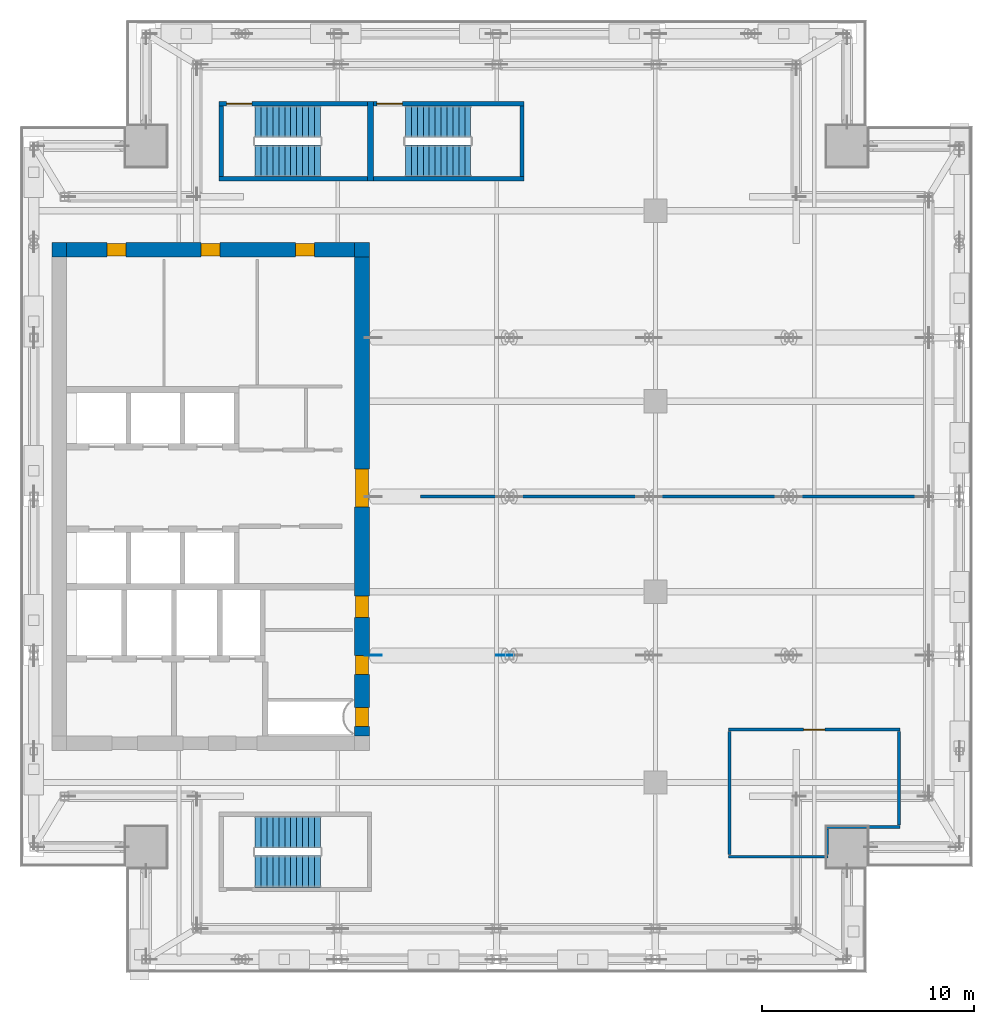
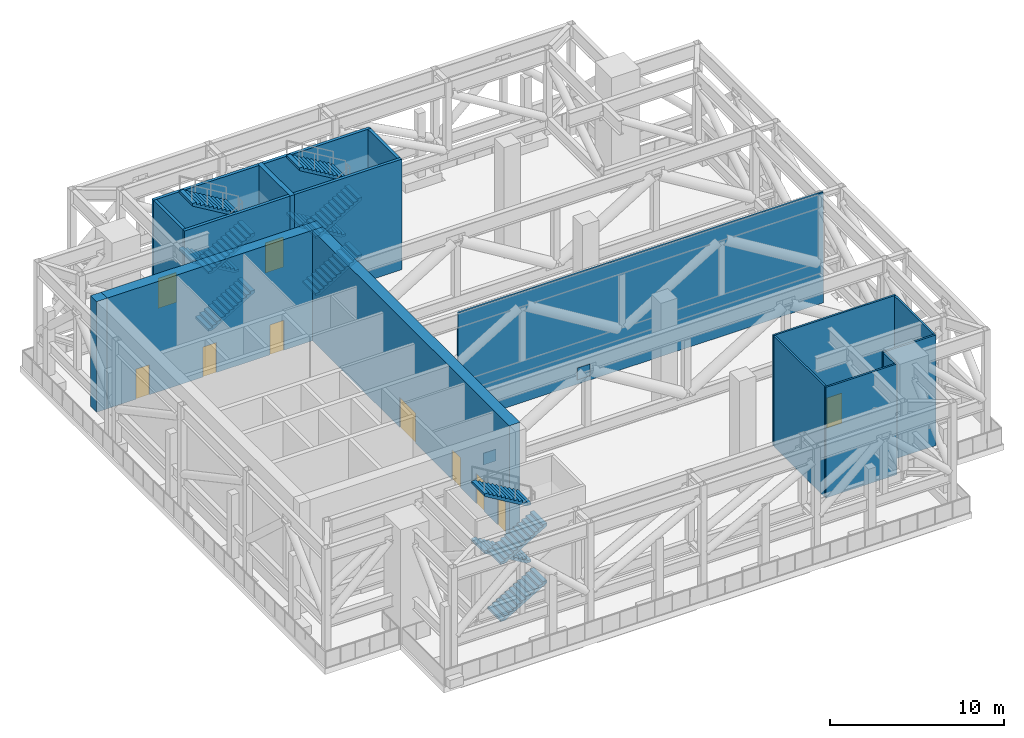
# One storey, part 9 of 15: 18 walls, 12 stair flights, 10 doors, 2 discrete accessories, 10 openings, 3 elements without a shape of their own.
"""IFC4 building model written with IfcOpenShell, lengths in metres."""

from ifc_helpers import new_model, si_unit, direction, frame, frame_2d, origin, origin_2d, place, context, subcontext, project, spatial, polyline, rectangle, outline, extrude, source, transform, mapped, material, layer, layer_set, type_object, element, fill, aggregate, save


model = new_model("IFC4")

# Units and contexts
model_context = context("Model", 3, precision=1e-05, world=origin(), true_north=direction((0.0, 1.0)))
body_context = subcontext(model_context, "Body", "Model", "MODEL_VIEW")
ifc_project = project(units=[si_unit("LENGTHUNIT", "METRE"), si_unit("AREAUNIT", "SQUARE_METRE"), si_unit("VOLUMEUNIT", "CUBIC_METRE"), si_unit("PLANEANGLEUNIT", "RADIAN"), si_unit("MASSUNIT", "GRAM", prefix="KILO")], contexts=[model_context])

# Site, building, storey
site_placement = place(None, origin())
site = spatial("IfcSite", under=ifc_project, at=site_placement, CompositionType="ELEMENT")
building_placement = place(site_placement, origin())
building = spatial("IfcBuilding", under=site, at=building_placement, Name="Khomas Fold Tower", CompositionType="ELEMENT")
storey_placement = place(building_placement, frame((0.0, 0.0, 274.199951171875)))
storey = spatial("IfcBuildingStorey", under=building, at=storey_placement, Name="L62", CompositionType="ELEMENT", Elevation=274.199951171875)

# Wall, openings, doors
ifc_material_1 = material(Name="Concrete C60/75", Category="concrete")
ifc_layer_1 = layer(ifc_material_1, 0.699951171875)
ifc_layer_set_1 = layer_set([ifc_layer_1], Name="Concrete C60/75")
wall_type_1 = type_object("IfcWallType", Name="Core wall 700", PredefinedType="SHEAR", material=ifc_layer_set_1)
shared_shape_1 = source(origin(), body_context, "Body", "SweptSolid", [
    extrude(rectangle(XDim=13.60009765625, YDim=0.699951171875, at=frame_2d((6.800048828125, 0.0))), origin(), (0.0, 0.0, 1.0), 7.75),
])
wall_1_placement = place(storey_placement, frame((6.699951171875, 38.64990234375, 0.0), z_axis=(0.0, 0.0, 1.0), x_axis=(1.0, 0.0, 0.0)))
wall_1 = element("IfcWall", 1, at=wall_1_placement, inside=storey, type_object=wall_type_1, Name="Core wall CW-U-N-L49", PredefinedType="SHEAR", context=body_context, shape_type="MappedRepresentation", body=[
    mapped(shared_shape_1, transform((0.0, 0.0, 0.0))),
])
shared_shape_2 = source(origin(), body_context, "Body", "SweptSolid", [
    extrude(rectangle(XDim=0.89990234375, YDim=2.10009765625, at=frame_2d((0.449951171875, 1.050048828125))), frame((0.0, 0.35986328125, 0.0), z_axis=(0.0, -1.0, 0.0), x_axis=(1.0, 0.0, 0.0)), (0.0, 0.0, 1.0), 0.719970703125),
])
opening_1_placement = place(wall_1_placement, frame((1.89990234375, 0.0, 0.0)))
opening_1 = element("IfcOpeningElement", 2, at=opening_1_placement, cuts=wall_1, Name="Opening 0004", PredefinedType="OPENING", context=body_context, shape_type="MappedRepresentation", body=[
    mapped(shared_shape_2, transform((0.0, 0.0, 0.0))),
])
opening_2_placement = place(wall_1_placement, frame((6.35009765625, 0.0, 0.0)))
opening_2 = element("IfcOpeningElement", 3, at=opening_2_placement, cuts=wall_1, Name="Opening 0004", PredefinedType="OPENING", context=body_context, shape_type="MappedRepresentation", body=[
    mapped(shared_shape_2, transform((0.0, 0.0, 0.0))),
])
opening_3_placement = place(wall_1_placement, frame((10.800048828125, 0.0, 0.0)))
opening_3 = element("IfcOpeningElement", 4, at=opening_3_placement, cuts=wall_1, Name="Opening 0008", PredefinedType="OPENING", context=body_context, shape_type="MappedRepresentation", body=[
    mapped(shared_shape_2, transform((0.0, 0.0, 0.0))),
])
ifc_material_2 = material(Name="Timber door leaf", Category="wood")
door_type_1 = type_object("IfcDoorType", Name="WC door 900x2100 right-hand", OperationType="SINGLE_SWING_RIGHT", PredefinedType="DOOR", material=ifc_material_2)
shared_shape_3 = source(origin(), body_context, "Body", "SweptSolid", [
    extrude(rectangle(XDim=0.89990234375, YDim=2.10009765625, at=frame_2d((0.449951171875, 1.050048828125))), frame((0.0, 0.2998046875, 0.0), z_axis=(0.0, -1.0, 0.0), x_axis=(1.0, 0.0, 0.0)), (0.0, 0.0, 1.0), 0.599853515625),
])
door_1_placement = place(opening_1_placement, origin())
door_1 = element("IfcDoor", 5, at=door_1_placement, inside=storey, type_object=door_type_1, Name="WC door", OperationType="SINGLE_SWING_RIGHT", OverallHeight=2.10009765625, OverallWidth=0.89990234375, PredefinedType="DOOR", context=body_context, shape_type="MappedRepresentation", body=[
    mapped(shared_shape_3, transform((0.0, 0.0, 0.0))),
])
fill(opening_1, door_1)
door_2_placement = place(opening_2_placement, origin())
door_2 = element("IfcDoor", 6, at=door_2_placement, inside=storey, type_object=door_type_1, Name="WC door", OperationType="SINGLE_SWING_RIGHT", OverallHeight=2.10009765625, OverallWidth=0.89990234375, PredefinedType="DOOR", context=body_context, shape_type="MappedRepresentation", body=[
    mapped(shared_shape_3, transform((0.0, 0.0, 0.0))),
])
fill(opening_2, door_2)
ifc_material_3 = material(Name="Timber door leaf", Category="wood")
door_type_2 = type_object("IfcDoorType", Name="Door 900x2100 right-hand", OperationType="SINGLE_SWING_RIGHT", PredefinedType="DOOR", material=ifc_material_3)
door_3_placement = place(opening_3_placement, origin())
door_3 = element("IfcDoor", 7, at=door_3_placement, inside=storey, type_object=door_type_2, Name="Door", OperationType="SINGLE_SWING_RIGHT", OverallHeight=2.10009765625, OverallWidth=0.89990234375, PredefinedType="DOOR", context=body_context, shape_type="MappedRepresentation", body=[
    mapped(shared_shape_3, transform((0.0, 0.0, 0.0))),
])
fill(opening_3, door_3)

# Walls
ifc_material_4 = material(Name="Concrete C60/75", Category="concrete")
ifc_layer_2 = layer(ifc_material_4, 0.699951171875)
ifc_layer_set_2 = layer_set([ifc_layer_2], Name="Concrete C60/75")
wall_type_2 = type_object("IfcWallType", Name="Core corner wall 700", PredefinedType="SHEAR", material=ifc_layer_set_2)
shared_shape_4 = source(origin(), body_context, "Body", "SweptSolid", [
    extrude(rectangle(XDim=0.699951171875, YDim=0.699951171875, at=frame_2d((0.35009765625, 0.0))), origin(), (0.0, 0.0, 1.0), 7.75),
])
for number, where, z_axis, x_axis, name in (
    (8, (20.300048828125, 38.64990234375, 0.0), (0.0, 0.0, 1.0), (1.0, 0.0, 0.0), "Core wall CW-U-NE-L49"),
    (9, (6.0, 38.64990234375, 0.0), (0.0, 0.0, 1.0), (1.0, 0.0, 0.0), "Core wall CW-U-NW-L49"),
):
    element("IfcWall", number, at=place(storey_placement, frame(where, z_axis=z_axis, x_axis=x_axis)), inside=storey, type_object=wall_type_2, Name=name, PredefinedType="SHEAR", context=body_context, shape_type="MappedRepresentation", body=[
        mapped(shared_shape_4, transform((0.0, 0.0, 0.0))),
    ])

# Wall, openings, doors
shared_shape_5 = source(origin(), body_context, "Body", "SweptSolid", [
    extrude(rectangle(XDim=22.60009765625, YDim=0.699951171875, at=frame_2d((11.300048828125, 0.0))), origin(), (0.0, 0.0, 1.0), 7.75),
])
wall_2_placement = place(storey_placement, frame((20.64990234375, 15.699951171875, 0.0), z_axis=(0.0, 0.0, 1.0), x_axis=(0.0, 1.0, 0.0)))
wall_2 = element("IfcWall", 10, at=wall_2_placement, inside=storey, type_object=wall_type_1, Name="Core wall CW-U-E-L49", PredefinedType="SHEAR", context=body_context, shape_type="MappedRepresentation", body=[
    mapped(shared_shape_5, transform((0.0, 0.0, 0.0))),
])
shared_shape_6 = source(origin(), body_context, "Body", "SweptSolid", [
    extrude(rectangle(XDim=1.800048828125, YDim=2.10009765625, at=frame_2d((0.89990234375, 1.050048828125))), frame((0.0, 0.35986328125, 0.0), z_axis=(0.0, -1.0, 0.0), x_axis=(1.0, 0.0, 0.0)), (0.0, 0.0, 1.0), 0.719970703125),
])
opening_4_placement = place(wall_2_placement, frame((10.800048828125, 0.0, 0.0)))
opening_4 = element("IfcOpeningElement", 11, at=opening_4_placement, cuts=wall_2, Name="Opening 0015", PredefinedType="OPENING", context=body_context, shape_type="MappedRepresentation", body=[
    mapped(shared_shape_6, transform((0.0, 0.0, 0.0))),
])
opening_5_placement = place(wall_2_placement, frame((0.449951171875, 0.0, 0.0)))
opening_5 = element("IfcOpeningElement", 12, at=opening_5_placement, cuts=wall_2, Name="Opening 0003", PredefinedType="OPENING", context=body_context, shape_type="MappedRepresentation", body=[
    mapped(shared_shape_2, transform((0.0, 0.0, 0.0))),
])
opening_6_placement = place(wall_2_placement, frame((2.89990234375, 0.0, 0.0)))
opening_6 = element("IfcOpeningElement", 13, at=opening_6_placement, cuts=wall_2, Name="Opening 0003", PredefinedType="OPENING", context=body_context, shape_type="MappedRepresentation", body=[
    mapped(shared_shape_2, transform((0.0, 0.0, 0.0))),
])
shared_shape_7 = source(origin(), body_context, "Body", "SweptSolid", [
    extrude(rectangle(XDim=1.0, YDim=2.10009765625, at=frame_2d((0.5, 1.050048828125))), frame((0.0, 0.35986328125, 0.0), z_axis=(0.0, -1.0, 0.0), x_axis=(1.0, 0.0, 0.0)), (0.0, 0.0, 1.0), 0.719970703125),
])
opening_7_placement = place(wall_2_placement, frame((5.60009765625, 0.0, 0.0)))
opening_7 = element("IfcOpeningElement", 14, at=opening_7_placement, cuts=wall_2, Name="Opening 0006", PredefinedType="OPENING", context=body_context, shape_type="MappedRepresentation", body=[
    mapped(shared_shape_7, transform((0.0, 0.0, 0.0))),
])
ifc_material_5 = material(Name="Steel door leaf", Category="steel")
door_type_3 = type_object("IfcDoorType", Name="Lobby door 1800x2100", OperationType="DOUBLE_DOOR_SINGLE_SWING", PredefinedType="DOOR", material=ifc_material_5)
shared_shape_8 = source(origin(), body_context, "Body", "SweptSolid", [
    extrude(rectangle(XDim=1.800048828125, YDim=2.10009765625, at=frame_2d((0.89990234375, 1.050048828125))), frame((0.0, 0.2998046875, 0.0), z_axis=(0.0, -1.0, 0.0), x_axis=(1.0, 0.0, 0.0)), (0.0, 0.0, 1.0), 0.599853515625),
])
door_4_placement = place(opening_4_placement, origin())
door_4 = element("IfcDoor", 15, at=door_4_placement, inside=storey, type_object=door_type_3, Name="Lobby door", OperationType="DOUBLE_DOOR_SINGLE_SWING", OverallHeight=2.10009765625, OverallWidth=1.800048828125, PredefinedType="DOOR", context=body_context, shape_type="MappedRepresentation", body=[
    mapped(shared_shape_8, transform((0.0, 0.0, 0.0))),
])
fill(opening_4, door_4)
ifc_material_6 = material(Name="Steel door leaf", Category="steel")
door_type_4 = type_object("IfcDoorType", Name="Plant room door 900x2100 right-hand", OperationType="SINGLE_SWING_RIGHT", PredefinedType="DOOR", material=ifc_material_6)
door_5_placement = place(opening_5_placement, origin())
door_5 = element("IfcDoor", 16, at=door_5_placement, inside=storey, type_object=door_type_4, Name="Plant room door", OperationType="SINGLE_SWING_RIGHT", OverallHeight=2.10009765625, OverallWidth=0.89990234375, PredefinedType="DOOR", context=body_context, shape_type="MappedRepresentation", body=[
    mapped(shared_shape_3, transform((0.0, 0.0, 0.0))),
])
fill(opening_5, door_5)
door_6_placement = place(opening_6_placement, origin())
door_6 = element("IfcDoor", 17, at=door_6_placement, inside=storey, type_object=door_type_4, Name="Plant room door", OperationType="SINGLE_SWING_RIGHT", OverallHeight=2.10009765625, OverallWidth=0.89990234375, PredefinedType="DOOR", context=body_context, shape_type="MappedRepresentation", body=[
    mapped(shared_shape_3, transform((0.0, 0.0, 0.0))),
])
fill(opening_6, door_6)
ifc_material_7 = material(Name="Timber door leaf", Category="wood")
door_type_5 = type_object("IfcDoorType", Name="WC door 1000x2100 right-hand", OperationType="SINGLE_SWING_RIGHT", PredefinedType="DOOR", material=ifc_material_7)
shared_shape_9 = source(origin(), body_context, "Body", "SweptSolid", [
    extrude(rectangle(XDim=1.0, YDim=2.10009765625, at=frame_2d((0.5, 1.050048828125))), frame((0.0, 0.2998046875, 0.0), z_axis=(0.0, -1.0, 0.0), x_axis=(1.0, 0.0, 0.0)), (0.0, 0.0, 1.0), 0.599853515625),
])
door_7_placement = place(opening_7_placement, origin())
door_7 = element("IfcDoor", 18, at=door_7_placement, inside=storey, type_object=door_type_5, Name="WC door", OperationType="SINGLE_SWING_RIGHT", OverallHeight=2.10009765625, OverallWidth=1.0, PredefinedType="DOOR", context=body_context, shape_type="MappedRepresentation", body=[
    mapped(shared_shape_9, transform((0.0, 0.0, 0.0))),
])
fill(opening_7, door_7)

# Wall, opening, door
ifc_material_8 = material(Name="Concrete C50/60", Category="concrete")
ifc_layer_3 = layer(ifc_material_8, 0.199951171875)
ifc_layer_set_3 = layer_set([ifc_layer_3], Name="Concrete C50/60")
wall_type_3 = type_object("IfcWallType", Name="Stair wall 200", PredefinedType="SHEAR", material=ifc_layer_set_3)
shared_shape_10 = source(origin(), body_context, "Body", "SweptSolid", [
    extrude(rectangle(XDim=7.0, YDim=0.199951171875, at=frame_2d((3.5, 0.0))), origin(), (0.0, 0.0, 1.0), 7.75),
])
wall_3_placement = place(storey_placement, frame((13.89990234375, 45.550048828125, 0.0), z_axis=(0.0, 0.0, 1.0), x_axis=(1.0, 0.0, 0.0)))
wall_3 = element("IfcWall", 19, at=wall_3_placement, inside=storey, type_object=wall_type_3, Name="Stair wall SW-ST1-N", PredefinedType="SHEAR", context=body_context, shape_type="MappedRepresentation", body=[
    mapped(shared_shape_10, transform((0.0, 0.0, 0.0))),
])
shared_shape_11 = source(origin(), body_context, "Body", "SweptSolid", [
    extrude(rectangle(XDim=1.199951171875, YDim=2.10009765625, at=frame_2d((0.60009765625, 1.050048828125))), frame((0.0, 0.10986328125, 0.0), z_axis=(0.0, -1.0, 0.0), x_axis=(1.0, 0.0, 0.0)), (0.0, 0.0, 1.0), 0.219970703125),
])
opening_8_placement = place(wall_3_placement, frame((0.35009765625, 0.0, 0.0)))
opening_8 = element("IfcOpeningElement", 20, at=opening_8_placement, cuts=wall_3, Name="Opening SD-ST1", PredefinedType="OPENING", context=body_context, shape_type="MappedRepresentation", body=[
    mapped(shared_shape_11, transform((0.0, 0.0, 0.0))),
])
ifc_material_9 = material(Name="Steel door leaf", Category="steel")
door_type_6 = type_object("IfcDoorType", Name="Stair door 1200x2100 left-hand", OperationType="SINGLE_SWING_LEFT", PredefinedType="DOOR", material=ifc_material_9)
shared_shape_12 = source(origin(), body_context, "Body", "SweptSolid", [
    extrude(rectangle(XDim=1.199951171875, YDim=2.10009765625, at=frame_2d((0.60009765625, 1.050048828125))), frame((0.0, 0.02490234375, 0.0), z_axis=(0.0, -1.0, 0.0), x_axis=(1.0, 0.0, 0.0)), (0.0, 0.0, 1.0), 0.050048828125),
])
door_8_placement = place(opening_8_placement, origin())
door_8 = element("IfcDoor", 21, at=door_8_placement, inside=storey, type_object=door_type_6, Name="Stair door", OperationType="SINGLE_SWING_LEFT", OverallHeight=2.10009765625, OverallWidth=1.199951171875, PredefinedType="DOOR", context=body_context, shape_type="MappedRepresentation", body=[
    mapped(shared_shape_12, transform((0.0, 0.0, 0.0))),
])
fill(opening_8, door_8)

# Wall
wall_4_placement = place(storey_placement, frame((13.89990234375, 42.0, 0.0), z_axis=(0.0, 0.0, 1.0), x_axis=(1.0, 0.0, 0.0)))
element("IfcWall", 22, at=wall_4_placement, inside=storey, type_object=wall_type_3, Name="Stair wall SW-ST1-S", PredefinedType="SHEAR", context=body_context, shape_type="MappedRepresentation", body=[
    mapped(shared_shape_10, transform((0.0, 0.0, 0.0))),
])

# Wall, opening, door
shared_shape_13 = source(origin(), body_context, "Body", "SweptSolid", [
    extrude(rectangle(XDim=7.10009765625, YDim=0.199951171875, at=frame_2d((3.550048828125, 0.0))), origin(), (0.0, 0.0, 1.0), 7.75),
])
wall_5_placement = place(storey_placement, frame((21.199951171875, 45.550048828125, 0.0), z_axis=(0.0, 0.0, 1.0), x_axis=(1.0, 0.0, 0.0)))
wall_5 = element("IfcWall", 23, at=wall_5_placement, inside=storey, type_object=wall_type_3, Name="Stair wall SW-ST3-N", PredefinedType="SHEAR", context=body_context, shape_type="MappedRepresentation", body=[
    mapped(shared_shape_13, transform((0.0, 0.0, 0.0))),
])
opening_9_placement = place(wall_5_placement, frame((0.14990234375, 0.0, 0.0)))
opening_9 = element("IfcOpeningElement", 24, at=opening_9_placement, cuts=wall_5, Name="Opening SD-ST3", PredefinedType="OPENING", context=body_context, shape_type="MappedRepresentation", body=[
    mapped(shared_shape_11, transform((0.0, 0.0, 0.0))),
])
door_9_placement = place(opening_9_placement, origin())
door_9 = element("IfcDoor", 25, at=door_9_placement, inside=storey, type_object=door_type_6, Name="Stair door", OperationType="SINGLE_SWING_LEFT", OverallHeight=2.10009765625, OverallWidth=1.199951171875, PredefinedType="DOOR", context=body_context, shape_type="MappedRepresentation", body=[
    mapped(shared_shape_12, transform((0.0, 0.0, 0.0))),
])
fill(opening_9, door_9)

# Walls
wall_6_placement = place(storey_placement, frame((21.199951171875, 42.0, 0.0), z_axis=(0.0, 0.0, 1.0), x_axis=(1.0, 0.0, 0.0)))
element("IfcWall", 26, at=wall_6_placement, inside=storey, type_object=wall_type_3, Name="Stair wall SW-ST3-S", PredefinedType="SHEAR", context=body_context, shape_type="MappedRepresentation", body=[
    mapped(shared_shape_13, transform((0.0, 0.0, 0.0))),
])
ifc_material_10 = material(Name="Concrete C50/60", Category="concrete")
ifc_layer_4 = layer(ifc_material_10, 0.300048828125)
ifc_layer_set_4 = layer_set([ifc_layer_4], Name="Concrete C50/60")
wall_type_4 = type_object("IfcWallType", Name="Stair wall 300", PredefinedType="SHEAR", material=ifc_layer_set_4)
shared_shape_14 = source(origin(), body_context, "Body", "SweptSolid", [
    extrude(rectangle(XDim=3.75, YDim=0.300048828125, at=frame_2d((1.875, 0.0))), origin(), (0.0, 0.0, 1.0), 7.75),
])
wall_7_placement = place(storey_placement, frame((21.050048828125, 41.89990234375, 0.0), z_axis=(0.0, 0.0, 1.0), x_axis=(0.0, 1.0, 0.0)))
element("IfcWall", 27, at=wall_7_placement, inside=storey, type_object=wall_type_4, Name="Stair wall SW-ST1-E", PredefinedType="SHEAR", context=body_context, shape_type="MappedRepresentation", body=[
    mapped(shared_shape_14, transform((0.0, 0.0, 0.0))),
])
shared_shape_15 = source(origin(), body_context, "Body", "SweptSolid", [
    extrude(rectangle(XDim=3.349853515625, YDim=0.199951171875, at=frame_2d((1.6748046875, 0.0))), origin(), (0.0, 0.0, 1.0), 7.75),
])
for number, where, z_axis, x_axis, name in (
    (28, (14.0, 42.10009765625, 0.0), (0.0, 0.0, 1.0), (0.0, 1.0, 0.0), "Stair wall SW-ST1-W"),
    (29, (28.199951171875, 42.10009765625, 0.0), (0.0, 0.0, 1.0), (0.0, 1.0, 0.0), "Stair wall SW-ST3-E"),
):
    element("IfcWall", number, at=place(storey_placement, frame(where, z_axis=z_axis, x_axis=x_axis)), inside=storey, type_object=wall_type_3, Name=name, PredefinedType="SHEAR", context=body_context, shape_type="MappedRepresentation", body=[
        mapped(shared_shape_15, transform((0.0, 0.0, 0.0))),
    ])
ifc_material_11 = material(Name="Plasterboard partition")
ifc_layer_5 = layer(ifc_material_11, 0.125)
ifc_layer_set_5 = layer_set([ifc_layer_5], Name="Plasterboard partition")
wall_type_5 = type_object("IfcWallType", Name="Partition PW2 125", PredefinedType="PARTITIONING", material=ifc_layer_set_5)
shared_shape_16 = source(origin(), body_context, "Body", "SweptSolid", [
    extrude(rectangle(XDim=4.699951171875, YDim=0.125, at=frame_2d((2.35009765625, 0.0))), origin(), (0.0, 0.0, 1.0), 7.75),
])
wall_8_placement = place(storey_placement, frame((37.949951171875, 10.0, 0.0), z_axis=(0.0, 0.0, 1.0), x_axis=(1.0, 0.0, 0.0)))
element("IfcWall", 30, at=wall_8_placement, inside=storey, type_object=wall_type_5, Name="Partition", PredefinedType="PARTITIONING", context=body_context, shape_type="MappedRepresentation", body=[
    mapped(shared_shape_16, transform((0.0, 0.0, 0.0))),
])
shared_shape_17 = source(origin(), body_context, "Body", "SweptSolid", [
    extrude(rectangle(XDim=5.7998046875, YDim=0.125, at=frame_2d((2.89990234375, 0.0))), origin(), (0.0, 0.0, 1.0), 7.75),
])
wall_9_placement = place(storey_placement, frame((38.0, 10.10009765625, 0.0), z_axis=(0.0, 0.0, 1.0), x_axis=(0.0, 1.0, 0.0)))
element("IfcWall", 31, at=wall_9_placement, inside=storey, type_object=wall_type_5, Name="Partition", PredefinedType="PARTITIONING", context=body_context, shape_type="MappedRepresentation", body=[
    mapped(shared_shape_17, transform((0.0, 0.0, 0.0))),
])
shared_shape_18 = source(origin(), body_context, "Body", "SweptSolid", [
    extrude(rectangle(XDim=1.199951171875, YDim=0.125, at=frame_2d((0.60009765625, 0.0))), origin(), (0.0, 0.0, 1.0), 7.75),
])
wall_10_placement = place(storey_placement, frame((42.60009765625, 10.10009765625, 0.0), z_axis=(0.0, 0.0, 1.0), x_axis=(0.0, 1.0, 0.0)))
element("IfcWall", 32, at=wall_10_placement, inside=storey, type_object=wall_type_5, Name="Partition", PredefinedType="PARTITIONING", context=body_context, shape_type="MappedRepresentation", body=[
    mapped(shared_shape_18, transform((0.0, 0.0, 0.0))),
])
shared_shape_19 = source(origin(), body_context, "Body", "SweptSolid", [
    extrude(rectangle(XDim=3.5, YDim=0.125, at=frame_2d((1.75, 0.0))), origin(), (0.0, 0.0, 1.0), 7.75),
])
wall_11_placement = place(storey_placement, frame((42.550048828125, 11.39990234375, 0.0), z_axis=(0.0, 0.0, 1.0), x_axis=(1.0, 0.0, 0.0)))
element("IfcWall", 33, at=wall_11_placement, inside=storey, type_object=wall_type_5, Name="Partition", PredefinedType="PARTITIONING", context=body_context, shape_type="MappedRepresentation", body=[
    mapped(shared_shape_19, transform((0.0, 0.0, 0.0))),
])
shared_shape_20 = source(origin(), body_context, "Body", "SweptSolid", [
    extrude(rectangle(XDim=4.39990234375, YDim=0.125, at=frame_2d((2.199951171875, 0.0))), origin(), (0.0, 0.0, 1.0), 7.75),
])
wall_12_placement = place(storey_placement, frame((46.0, 11.5, 0.0), z_axis=(0.0, 0.0, 1.0), x_axis=(0.0, 1.0, 0.0)))
element("IfcWall", 34, at=wall_12_placement, inside=storey, type_object=wall_type_5, Name="Partition", PredefinedType="PARTITIONING", context=body_context, shape_type="MappedRepresentation", body=[
    mapped(shared_shape_20, transform((0.0, 0.0, 0.0))),
])

# Wall, opening, door
shared_shape_21 = source(origin(), body_context, "Body", "SweptSolid", [
    extrude(rectangle(XDim=8.10009765625, YDim=0.125, at=frame_2d((4.050048828125, 0.0))), origin(), (0.0, 0.0, 1.0), 7.75),
])
wall_13_placement = place(storey_placement, frame((37.949951171875, 16.0, 0.0), z_axis=(0.0, 0.0, 1.0), x_axis=(1.0, 0.0, 0.0)))
wall_13 = element("IfcWall", 35, at=wall_13_placement, inside=storey, type_object=wall_type_5, Name="Partition", PredefinedType="PARTITIONING", context=body_context, shape_type="MappedRepresentation", body=[
    mapped(shared_shape_21, transform((0.0, 0.0, 0.0))),
])
shared_shape_22 = source(origin(), body_context, "Body", "SweptSolid", [
    extrude(rectangle(XDim=1.0, YDim=2.10009765625, at=frame_2d((0.5, 1.050048828125))), frame((0.0, 0.072509765625, 0.0), z_axis=(0.0, -1.0, 0.0), x_axis=(1.0, 0.0, 0.0)), (0.0, 0.0, 1.0), 0.14501953125),
])
opening_10_placement = place(wall_13_placement, frame((3.550048828125, 0.0, 0.0)))
opening_10 = element("IfcOpeningElement", 36, at=opening_10_placement, cuts=wall_13, Name="Opening 0023", PredefinedType="OPENING", context=body_context, shape_type="MappedRepresentation", body=[
    mapped(shared_shape_22, transform((0.0, 0.0, 0.0))),
])
ifc_material_12 = material(Name="Timber door leaf", Category="wood")
door_type_7 = type_object("IfcDoorType", Name="Door 1000x2100 right-hand", OperationType="SINGLE_SWING_RIGHT", PredefinedType="DOOR", material=ifc_material_12)
shared_shape_23 = source(origin(), body_context, "Body", "SweptSolid", [
    extrude(rectangle(XDim=1.0, YDim=2.10009765625, at=frame_2d((0.5, 1.050048828125))), frame((0.0, 0.02490234375, 0.0), z_axis=(0.0, -1.0, 0.0), x_axis=(1.0, 0.0, 0.0)), (0.0, 0.0, 1.0), 0.050048828125),
])
door_10_placement = place(opening_10_placement, origin())
door_10 = element("IfcDoor", 37, at=door_10_placement, inside=storey, type_object=door_type_7, Name="Door", OperationType="SINGLE_SWING_RIGHT", OverallHeight=2.10009765625, OverallWidth=1.0, PredefinedType="DOOR", context=body_context, shape_type="MappedRepresentation", body=[
    mapped(shared_shape_23, transform((0.0, 0.0, 0.0))),
])
fill(opening_10, door_10)

# Wall
shared_shape_24 = source(origin(), body_context, "Body", "SweptSolid", [
    extrude(rectangle(XDim=24.2001953125, YDim=0.125, at=frame_2d((12.10009765625, 0.0))), origin(), (0.0, 0.0, 1.0), 7.75),
])
wall_14_placement = place(storey_placement, frame((23.39990234375, 27.0, 0.0), z_axis=(0.0, 0.0, 1.0), x_axis=(1.0, 0.0, 0.0)))
element("IfcWall", 38, at=wall_14_placement, inside=storey, type_object=wall_type_5, Name="Partition", PredefinedType="PARTITIONING", context=body_context, shape_type="MappedRepresentation", body=[
    mapped(shared_shape_24, transform((0.0, 0.0, 0.0))),
])

# Stair, stair flights
ifc_material_13 = material(Name="Concrete C40/50", Category="concrete")
stair_type_1 = type_object("IfcStairType", Name="Stair ST1", PredefinedType="HALF_TURN_STAIR", material=ifc_material_13)
stair_1_placement = place(storey_placement, origin())
stair_1 = element("IfcStair", 39, at=stair_1_placement, inside=storey, type_object=stair_type_1, Name="L62 ST1", PredefinedType="HALF_TURN_STAIR")
ifc_material_14 = material(Name="Concrete C40/50", Category="concrete")
stair_flight_type_1 = type_object("IfcStairFlightType", Name="Stair flight 1500 ST1", PredefinedType="STRAIGHT", material=ifc_material_14)
shared_shape_25 = source(origin(), body_context, "Body", "SweptSolid", [
    extrude(outline(polyline([(0.0, 0.0), (0.0, 0.012939453125), (0.0, 0.025634765625), (0.0, 0.03857421875), (0.0, 0.05126953125), (0.0, 0.064208984375), (0.0, 0.076904296875), (0.0, 0.08984375), (0.0, 0.1025390625), (0.0, 0.115478515625), (0.0, 0.128173828125), (0.0, 0.14111328125), (0.0, 0.15380859375), (0.0, 0.166748046875), (0.280029296875, 0.166748046875), (0.280029296875, 0.333251953125), (0.56005859375, 0.333251953125), (0.56005859375, 0.5), (0.840087890625, 0.5), (0.840087890625, 0.666748046875), (1.1201171875, 0.666748046875), (1.1201171875, 0.833251953125), (1.39990234375, 0.833251953125), (1.39990234375, 1.0), (1.679931640625, 1.0), (1.679931640625, 1.166748046875), (1.9599609375, 1.166748046875), (1.9599609375, 1.333251953125), (2.239990234375, 1.333251953125), (2.239990234375, 1.5), (2.52001953125, 1.5), (2.52001953125, 1.666748046875), (2.800048828125, 1.666748046875), (2.800048828125, 1.833251953125), (3.080078125, 1.833251953125), (3.080078125, 2.0), (3.080078125, 1.973876953125), (3.080078125, 1.947509765625), (3.080078125, 1.92138671875), (3.080078125, 1.89501953125), (3.080078125, 1.868896484375), (3.080078125, 1.842529296875), (3.080078125, 1.81640625), (3.080078125, 1.7900390625), (3.080078125, 1.763916015625), (3.080078125, 1.737548828125), (3.080078125, 1.71142578125), (3.080078125, 1.68505859375), (3.080078125, 1.658935546875), (0.29296875, 0.0), (0.0, 0.0)])), frame((0.0, 0.75, 0.0), z_axis=(0.0, -1.0, 0.0), x_axis=(1.0, 0.0, 0.0)), (0.0, 0.0, 1.0), 1.5),
])
stair_flight_1_placement = place(storey_placement, frame((15.60009765625, 42.85009765625, 0.0), z_axis=(0.0, 0.0, 1.0), x_axis=(1.0, 0.0, 0.0)))
stair_flight_1 = element("IfcStairFlight", 40, at=stair_flight_1_placement, type_object=stair_flight_type_1, Name="ST1 flight 1", NumberOfRisers=12, NumberOfTreads=11, PredefinedType="STRAIGHT", RiserHeight=0.166666667, TreadLength=0.28, context=body_context, shape_type="MappedRepresentation", body=[
    mapped(shared_shape_25, transform((0.0, 0.0, 0.0))),
])
stair_flight_2_placement = place(storey_placement, frame((18.679931640625, 44.699951171875, 2.0), z_axis=(0.0, 0.0, 1.0), x_axis=(-1.0, 0.0, 0.0)))
stair_flight_2 = element("IfcStairFlight", 41, at=stair_flight_2_placement, type_object=stair_flight_type_1, Name="ST1 flight 2", NumberOfRisers=12, NumberOfTreads=11, PredefinedType="STRAIGHT", RiserHeight=0.166666667, TreadLength=0.28, context=body_context, shape_type="MappedRepresentation", body=[
    mapped(shared_shape_25, transform((0.0, 0.0, 0.0))),
])
stair_flight_3_placement = place(storey_placement, frame((15.60009765625, 42.85009765625, 4.0), z_axis=(0.0, 0.0, 1.0), x_axis=(1.0, 0.0, 0.0)))
stair_flight_3 = element("IfcStairFlight", 42, at=stair_flight_3_placement, type_object=stair_flight_type_1, Name="ST1 flight 3", NumberOfRisers=12, NumberOfTreads=11, PredefinedType="STRAIGHT", RiserHeight=0.166666667, TreadLength=0.28, context=body_context, shape_type="MappedRepresentation", body=[
    mapped(shared_shape_25, transform((0.0, 0.0, 0.0))),
])
stair_flight_4_placement = place(storey_placement, frame((18.679931640625, 44.699951171875, 6.0), z_axis=(0.0, 0.0, 1.0), x_axis=(-1.0, 0.0, 0.0)))
stair_flight_4 = element("IfcStairFlight", 43, at=stair_flight_4_placement, type_object=stair_flight_type_1, Name="ST1 flight 4", NumberOfRisers=12, NumberOfTreads=11, PredefinedType="STRAIGHT", RiserHeight=0.166666667, TreadLength=0.28, context=body_context, shape_type="MappedRepresentation", body=[
    mapped(shared_shape_25, transform((0.0, 0.0, 0.0))),
])
aggregate(stair_1, [stair_flight_1, stair_flight_2, stair_flight_3, stair_flight_4])

ifc_material_15 = material(Name="Concrete C40/50", Category="concrete")
stair_type_2 = type_object("IfcStairType", Name="Stair ST2", PredefinedType="HALF_TURN_STAIR", material=ifc_material_15)
stair_2_placement = place(storey_placement, origin())
stair_2 = element("IfcStair", 44, at=stair_2_placement, inside=storey, type_object=stair_type_2, Name="L62 ST2", PredefinedType="HALF_TURN_STAIR")
ifc_material_16 = material(Name="Concrete C40/50", Category="concrete")
stair_flight_type_2 = type_object("IfcStairFlightType", Name="Stair flight 1500 ST2", PredefinedType="STRAIGHT", material=ifc_material_16)
stair_flight_5_placement = place(storey_placement, frame((15.60009765625, 9.300048828125, 0.0), z_axis=(0.0, 0.0, 1.0), x_axis=(1.0, 0.0, 0.0)))
stair_flight_5 = element("IfcStairFlight", 45, at=stair_flight_5_placement, type_object=stair_flight_type_2, Name="ST2 flight 1", NumberOfRisers=12, NumberOfTreads=11, PredefinedType="STRAIGHT", RiserHeight=0.166666667, TreadLength=0.28, context=body_context, shape_type="MappedRepresentation", body=[
    mapped(shared_shape_25, transform((0.0, 0.0, 0.0))),
])
stair_flight_6_placement = place(storey_placement, frame((18.679931640625, 11.14990234375, 2.0), z_axis=(0.0, 0.0, 1.0), x_axis=(-1.0, 0.0, 0.0)))
stair_flight_6 = element("IfcStairFlight", 46, at=stair_flight_6_placement, type_object=stair_flight_type_2, Name="ST2 flight 2", NumberOfRisers=12, NumberOfTreads=11, PredefinedType="STRAIGHT", RiserHeight=0.166666667, TreadLength=0.28, context=body_context, shape_type="MappedRepresentation", body=[
    mapped(shared_shape_25, transform((0.0, 0.0, 0.0))),
])
stair_flight_7_placement = place(storey_placement, frame((15.60009765625, 9.300048828125, 4.0), z_axis=(0.0, 0.0, 1.0), x_axis=(1.0, 0.0, 0.0)))
stair_flight_7 = element("IfcStairFlight", 47, at=stair_flight_7_placement, type_object=stair_flight_type_2, Name="ST2 flight 3", NumberOfRisers=12, NumberOfTreads=11, PredefinedType="STRAIGHT", RiserHeight=0.166666667, TreadLength=0.28, context=body_context, shape_type="MappedRepresentation", body=[
    mapped(shared_shape_25, transform((0.0, 0.0, 0.0))),
])
stair_flight_8_placement = place(storey_placement, frame((18.679931640625, 11.14990234375, 6.0), z_axis=(0.0, 0.0, 1.0), x_axis=(-1.0, 0.0, 0.0)))
stair_flight_8 = element("IfcStairFlight", 48, at=stair_flight_8_placement, type_object=stair_flight_type_2, Name="ST2 flight 4", NumberOfRisers=12, NumberOfTreads=11, PredefinedType="STRAIGHT", RiserHeight=0.166666667, TreadLength=0.28, context=body_context, shape_type="MappedRepresentation", body=[
    mapped(shared_shape_25, transform((0.0, 0.0, 0.0))),
])
aggregate(stair_2, [stair_flight_5, stair_flight_6, stair_flight_7, stair_flight_8])

ifc_material_17 = material(Name="Concrete C40/50", Category="concrete")
stair_type_3 = type_object("IfcStairType", Name="Stair ST3", PredefinedType="HALF_TURN_STAIR", material=ifc_material_17)
stair_3_placement = place(storey_placement, origin())
stair_3 = element("IfcStair", 49, at=stair_3_placement, inside=storey, type_object=stair_type_3, Name="L62 ST3", PredefinedType="HALF_TURN_STAIR")
ifc_material_18 = material(Name="Concrete C40/50", Category="concrete")
stair_flight_type_3 = type_object("IfcStairFlightType", Name="Stair flight 1500 ST3", PredefinedType="STRAIGHT", material=ifc_material_18)
stair_flight_9_placement = place(storey_placement, frame((22.699951171875, 42.85009765625, 0.0), z_axis=(0.0, 0.0, 1.0), x_axis=(1.0, 0.0, 0.0)))
stair_flight_9 = element("IfcStairFlight", 50, at=stair_flight_9_placement, type_object=stair_flight_type_3, Name="ST3 flight 1", NumberOfRisers=12, NumberOfTreads=11, PredefinedType="STRAIGHT", RiserHeight=0.166666667, TreadLength=0.28, context=body_context, shape_type="MappedRepresentation", body=[
    mapped(shared_shape_25, transform((0.0, 0.0, 0.0))),
])
stair_flight_10_placement = place(storey_placement, frame((25.780029296875, 44.699951171875, 2.0), z_axis=(0.0, 0.0, 1.0), x_axis=(-1.0, 0.0, 0.0)))
stair_flight_10 = element("IfcStairFlight", 51, at=stair_flight_10_placement, type_object=stair_flight_type_3, Name="ST3 flight 2", NumberOfRisers=12, NumberOfTreads=11, PredefinedType="STRAIGHT", RiserHeight=0.166666667, TreadLength=0.28, context=body_context, shape_type="MappedRepresentation", body=[
    mapped(shared_shape_25, transform((0.0, 0.0, 0.0))),
])
stair_flight_11_placement = place(storey_placement, frame((22.699951171875, 42.85009765625, 4.0), z_axis=(0.0, 0.0, 1.0), x_axis=(1.0, 0.0, 0.0)))
stair_flight_11 = element("IfcStairFlight", 52, at=stair_flight_11_placement, type_object=stair_flight_type_3, Name="ST3 flight 3", NumberOfRisers=12, NumberOfTreads=11, PredefinedType="STRAIGHT", RiserHeight=0.166666667, TreadLength=0.28, context=body_context, shape_type="MappedRepresentation", body=[
    mapped(shared_shape_25, transform((0.0, 0.0, 0.0))),
])
stair_flight_12_placement = place(storey_placement, frame((25.780029296875, 44.699951171875, 6.0), z_axis=(0.0, 0.0, 1.0), x_axis=(-1.0, 0.0, 0.0)))
stair_flight_12 = element("IfcStairFlight", 53, at=stair_flight_12_placement, type_object=stair_flight_type_3, Name="ST3 flight 4", NumberOfRisers=12, NumberOfTreads=11, PredefinedType="STRAIGHT", RiserHeight=0.166666667, TreadLength=0.28, context=body_context, shape_type="MappedRepresentation", body=[
    mapped(shared_shape_25, transform((0.0, 0.0, 0.0))),
])
aggregate(stair_3, [stair_flight_9, stair_flight_10, stair_flight_11, stair_flight_12])

# Discrete accessories
ifc_material_19 = material(Name="Steel S355", Category="steel")
ifc_layer_6 = layer(ifc_material_19, 0.044921875)
ifc_layer_set_6 = layer_set([ifc_layer_6], Name="Steel S355")
discrete_accessory_type = type_object("IfcDiscreteAccessoryType", Name="Gusset plate 45 x 820 GP7", PredefinedType="BRACKET", material=ifc_layer_set_6)
shared_shape_26 = source(origin(), body_context, "Body", "SweptSolid", [
    extrude(rectangle(XDim=0.820068359375, YDim=0.044921875, at=origin_2d()), origin(), (0.0, 0.0, 1.0), 0.820068359375),
])
for number, where, z_axis, x_axis, name in (
    (54, (21.1806640625, 19.5, 2.548828125), (0.0, 0.0, 1.0), (1.0, 0.0, 0.0), "Gusset plate OR3-D"),
    (55, (27.39990234375, 19.5, 6.3369140625), (0.0, 0.0, 1.0), (1.0, 0.0, 0.0), "Gusset plate OR3-D"),
):
    element("IfcDiscreteAccessory", number, at=place(storey_placement, frame(where, z_axis=z_axis, x_axis=x_axis)), inside=storey, type_object=discrete_accessory_type, Name=name, PredefinedType="BRACKET", context=body_context, shape_type="MappedRepresentation", body=[
        mapped(shared_shape_26, transform((0.0, 0.0, 0.0))),
    ])

save(model, "model.ifc")
